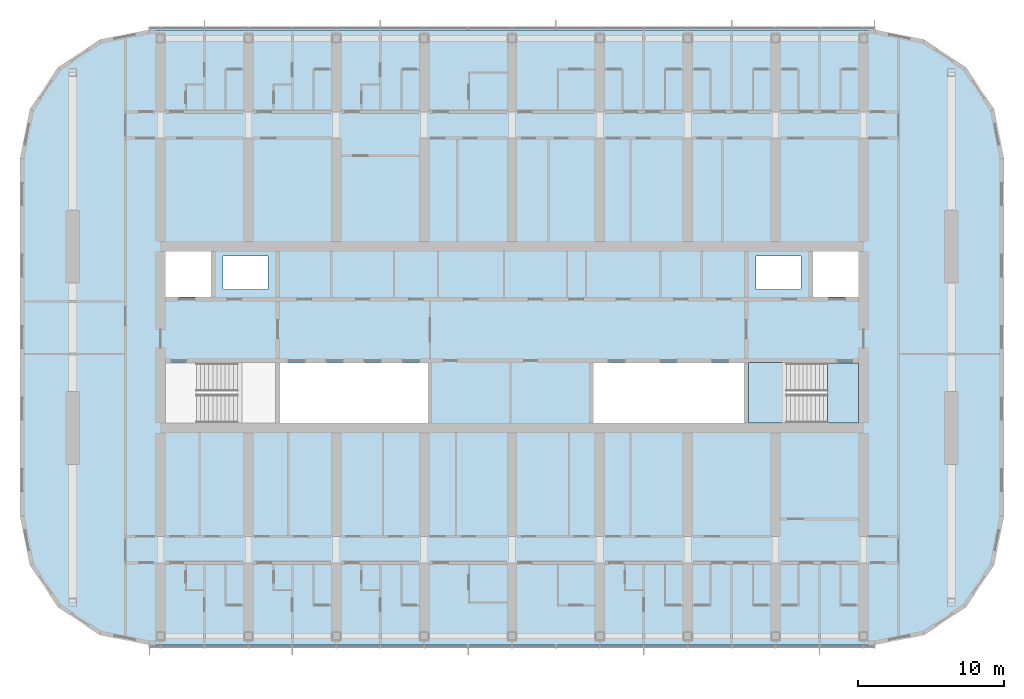
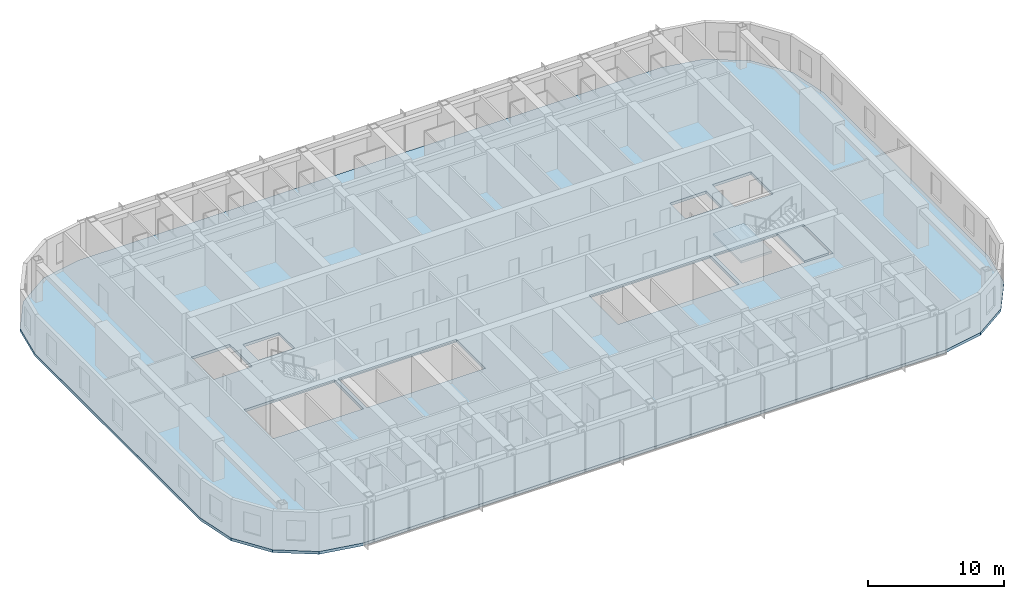
# One storey, part 8 of 24: 3 slabs, 1 element without a shape of its own.
"""IFC4 building model written with IfcOpenShell, lengths in metres."""

import ifcopenshell
import ifcopenshell.guid

model = None  # the IFC model being written
_history = None  # IfcOwnerHistory: only IFC2X3 demands one
_inside = {}  # id of a spatial element -> (the spatial element, [elements in it])
_under = {}  # id of a project, library or spatial element -> (it, [spatial elements below it])
_declared = {}  # id of a project -> (the project, [libraries it declares])
_typed = {}  # id of a type object -> (the type object, [elements of that type])
_made_of = {}  # id of a material, layer set ... -> (it, [elements and type objects made of it])


def new_model(schema):
    """Start an empty IFC model of exactly this schema.

    Asked for "IFC4X3", IfcOpenShell would pick the latest addendum, in which some entities
    have other attributes; the version numbers below select the first issue.
    IFC2X3 requires an IfcOwnerHistory on every rooted entity: one is made here for all.
    """
    global model, _history
    if schema == "IFC4X3":
        model = ifcopenshell.file(schema_version=(4, 3, 0, 0))
    else:
        model = ifcopenshell.file(schema=schema)
    _inside.clear()
    _under.clear()
    _declared.clear()
    _typed.clear()
    _made_of.clear()
    _history = None
    if model.schema == "IFC2X3":
        org = make("IfcOrganization", Name="unknown")
        user = make(
            "IfcPersonAndOrganization",
            ThePerson=make("IfcPerson", FamilyName="unknown"),
            TheOrganization=org,
        )
        app = make(
            "IfcApplication",
            ApplicationDeveloper=org,
            Version="unknown",
            ApplicationFullName="unknown",
            ApplicationIdentifier="unknown",
        )
        _history = make(
            "IfcOwnerHistory",
            OwningUser=user,
            OwningApplication=app,
            ChangeAction="ADDED",
            CreationDate=0,
        )
    return model


def make(cls, **values):
    """One entity of the class cls with the attributes given. An attribute that is None is left unset."""
    return model.create_entity(
        cls, **{name: value for name, value in values.items() if value is not None}
    )


def rooted(cls, **values):
    """An entity with a GlobalId (a new one), such as an element, a storey or a relation."""
    return make(cls, GlobalId=ifcopenshell.guid.new(), OwnerHistory=_history, **values)


def si_unit(unit_type, name, prefix=None):
    """IfcSIUnit, for example si_unit("LENGTHUNIT", "METRE", prefix="MILLI")."""
    return make("IfcSIUnit", UnitType=unit_type, Prefix=prefix, Name=name)


def assignment(units):
    """IfcUnitAssignment: the units of a project."""
    return None if units is None else make("IfcUnitAssignment", Units=units)


def point(xyz):
    """IfcCartesianPoint."""
    return None if xyz is None else make("IfcCartesianPoint", Coordinates=xyz)


def direction(xyz):
    """IfcDirection."""
    return None if xyz is None else make("IfcDirection", DirectionRatios=xyz)


def frame(location, z_axis=None, x_axis=None):
    """IfcAxis2Placement3D, a coordinate frame: its origin and axes. An axis left out is left unset."""
    return make(
        "IfcAxis2Placement3D",
        Location=point(location),
        Axis=direction(z_axis),
        RefDirection=direction(x_axis),
    )


def origin():
    """The frame at (0, 0, 0) with its axes left unset."""
    return frame((0.0, 0.0, 0.0))


def place(relative_to, where):
    """IfcLocalPlacement: puts the frame where relative to a parent placement (None: the world)."""
    return make(
        "IfcLocalPlacement", PlacementRelTo=relative_to, RelativePlacement=where
    )


def context(
    kind, dimensions, precision=None, world=None, true_north=None, identifier=None
):
    """IfcGeometricRepresentationContext, for example the 3D "Model" context."""
    return make(
        "IfcGeometricRepresentationContext",
        ContextIdentifier=identifier,
        ContextType=kind,
        CoordinateSpaceDimension=dimensions,
        Precision=precision,
        WorldCoordinateSystem=world,
        TrueNorth=true_north,
    )


def subcontext(parent, identifier, kind, view, scale=None):
    """IfcGeometricRepresentationSubContext, for example "Body" below "Model"."""
    return make(
        "IfcGeometricRepresentationSubContext",
        ContextIdentifier=identifier,
        ContextType=kind,
        ParentContext=parent,
        TargetScale=scale,
        TargetView=view,
    )


def project(units=None, contexts=None):
    """IfcProject with its units and contexts."""
    return rooted(
        "IfcProject",
        Name="project",
        RepresentationContexts=contexts,
        UnitsInContext=assignment(units),
    )


def spatial(cls, under=None, at=None, **own):
    """A site, building, storey or space (cls), placed at a placement, below another one or the project."""
    s = rooted(cls, ObjectPlacement=at, **own)
    if under is not None:
        _under.setdefault(under.id(), (under, []))[1].append(s)
    return s


def polyline(points):
    """IfcPolyline through the points."""
    return make("IfcPolyline", Points=[point(p) for p in points])


def outline(outer, holes=None, kind="AREA"):
    """IfcArbitraryClosedProfileDef: a profile drawn as a closed curve; with holes, ...WithVoids."""
    if holes is None:
        return make("IfcArbitraryClosedProfileDef", ProfileType=kind, OuterCurve=outer)
    return make(
        "IfcArbitraryProfileDefWithVoids",
        ProfileType=kind,
        OuterCurve=outer,
        InnerCurves=holes,
    )


def extrude(swept, where, along, depth):
    """IfcExtrudedAreaSolid: the profile swept, set in the frame where, extruded along a direction by depth."""
    return make(
        "IfcExtrudedAreaSolid",
        SweptArea=swept,
        Position=where,
        ExtrudedDirection=direction(along),
        Depth=depth,
    )


def shape(context_of_items, identifier, shape_type, items):
    """IfcShapeRepresentation: the items that make up one representation, for example the "Body"."""
    return make(
        "IfcShapeRepresentation",
        ContextOfItems=context_of_items,
        RepresentationIdentifier=identifier,
        RepresentationType=shape_type,
        Items=items,
    )


def material(Name=None, Category=None):
    """IfcMaterial."""
    return make("IfcMaterial", Name=Name, Category=Category)


def layer(
    of_material, thickness, ventilated=None, Name=None, Category=None, Priority=None
):
    """IfcMaterialLayer: one layer of a wall or slab, of a material (None: an air gap)."""
    return make(
        "IfcMaterialLayer",
        Material=of_material,
        LayerThickness=thickness,
        IsVentilated=ventilated,
        Name=Name,
        Category=Category,
        Priority=Priority,
    )


def layer_set(layers, Name=None):
    """IfcMaterialLayerSet."""
    return make("IfcMaterialLayerSet", MaterialLayers=layers, LayerSetName=Name)


def made_of(thing, what):
    """Note that an element or type object is made of a material, layer set ...; save() writes the relation."""
    if what is not None:
        _made_of.setdefault(what.id(), (what, []))[1].append(thing)
    return thing


def type_object(cls, material=None, **own):
    """A type object (cls), such as IfcWallType, which elements share."""
    return made_of(rooted(cls, **own), material)


def element(
    cls,
    number,
    at=None,
    inside=None,
    cuts=None,
    type_object=None,
    material=None,
    context=None,
    identifier="Body",
    shape_type=None,
    held_by="IfcProductDefinitionShape",
    body=None,
    shapes=None,
    **own,
):
    """One element of the class cls, such as IfcWall. Its Tag is "e" and its number.

    at: its placement. inside: the storey or other place that contains it. cuts: it is an
    opening in that element (IfcRelVoidsElement). A single representation is given by context,
    identifier, shape_type and body (its items); several are given by shapes. held_by: the class
    of the entity that holds the representations. save() writes the other relations.
    """
    e = rooted(cls, Tag="e%d" % number, ObjectPlacement=at, **own)
    if body is not None:
        shapes = [shape(context, identifier, shape_type, body)]
    if shapes is not None:
        e.Representation = make(held_by, Representations=shapes)
    if inside is not None:
        _inside.setdefault(inside.id(), (inside, []))[1].append(e)
    if cuts is not None:
        rooted(
            "IfcRelVoidsElement", RelatingBuildingElement=cuts, RelatedOpeningElement=e
        )
    if type_object is not None:
        _typed.setdefault(type_object.id(), (type_object, []))[1].append(e)
    return made_of(e, material)


def aggregate(whole, parts):
    """IfcRelAggregates: a whole, such as a stair, and the parts it consists of."""
    return rooted("IfcRelAggregates", RelatingObject=whole, RelatedObjects=parts)


def save(model, path):
    """Write the relations noted so far, then the file.

    IfcRelAggregates (storeys below a building ...), IfcRelContainedInSpatialStructure (elements
    in a storey), IfcRelDefinesByType, IfcRelAssociatesMaterial and IfcRelDeclares: one each for
    every whole, place, type object, material and project.
    """
    for whole, parts in _under.values():
        aggregate(whole, parts)
    for where, things in _inside.values():
        rooted(
            "IfcRelContainedInSpatialStructure",
            RelatedElements=things,
            RelatingStructure=where,
        )
    for kind, things in _typed.values():
        rooted("IfcRelDefinesByType", RelatedObjects=things, RelatingType=kind)
    for what, things in _made_of.values():
        rooted("IfcRelAssociatesMaterial", RelatedObjects=things, RelatingMaterial=what)
    for by, libraries in _declared.values():
        rooted("IfcRelDeclares", RelatingContext=by, RelatedDefinitions=libraries)
    model.write(path)


model = new_model("IFC4")

# Units and contexts
model_context = context("Model", 3, precision=1e-05, world=origin(), true_north=direction((0.0, 1.0)))
body_context = subcontext(model_context, "Body", "Model", "MODEL_VIEW")
ifc_project = project(units=[si_unit("LENGTHUNIT", "METRE"), si_unit("AREAUNIT", "SQUARE_METRE"), si_unit("VOLUMEUNIT", "CUBIC_METRE"), si_unit("PLANEANGLEUNIT", "RADIAN"), si_unit("MASSUNIT", "GRAM", prefix="KILO")], contexts=[model_context])

# Site, building, storey
site_placement = place(None, origin())
site = spatial("IfcSite", under=ifc_project, at=site_placement, CompositionType="ELEMENT")
building_placement = place(site_placement, origin())
building = spatial("IfcBuilding", under=site, at=building_placement, Name="Orbita Commons", CompositionType="ELEMENT")
storey_placement = place(building_placement, frame((0.0, 0.0, 239.050048828125)))
storey = spatial("IfcBuildingStorey", under=building, at=storey_placement, Name="L59", CompositionType="ELEMENT", Elevation=239.050048828125)

# Slab
ifc_material_1 = material(Name="Concrete C40/50", Category="concrete")
ifc_layer_1 = layer(ifc_material_1, 0.25)
ifc_layer_set_1 = layer_set([ifc_layer_1], Name="Concrete C40/50")
slab_type_1 = type_object("IfcSlabType", Name="Floor slab 250", PredefinedType="FLOOR", material=ifc_layer_set_1)
slab_1_placement = place(storey_placement, frame((0.0, 0.0, -0.25)))
element("IfcSlab", 1, at=slab_1_placement, inside=storey, type_object=slab_type_1, Name="Floor slab L59", PredefinedType="FLOOR", context=body_context, shape_type="SweptSolid", body=[
    extrude(outline(polyline([(66.800048828125, 11.0), (70.167724609375, 11.669921875), (73.0224609375, 13.577392578125), (74.93017578125, 16.432373046875), (75.60009765625, 19.800048828125), (75.60009765625, 44.199951171875), (74.93017578125, 47.567626953125), (73.0224609375, 50.422607421875), (70.167724609375, 52.330078125), (66.800048828125, 53.0), (17.199951171875, 53.0), (13.832275390625, 52.330078125), (10.9775390625, 50.422607421875), (9.06982421875, 47.567626953125), (8.39990234375, 44.199951171875), (8.39990234375, 19.800048828125), (9.06982421875, 16.432373046875), (10.9775390625, 13.577392578125), (13.832275390625, 11.669921875), (17.199951171875, 11.0), (66.800048828125, 11.0)]), holes=[polyline([(18.14990234375, 25.949951171875), (25.85009765625, 25.949951171875), (25.85009765625, 30.25), (18.14990234375, 30.25), (18.14990234375, 25.949951171875)]), polyline([(58.14990234375, 25.949951171875), (65.85009765625, 25.949951171875), (65.85009765625, 30.25), (58.14990234375, 30.25), (58.14990234375, 25.949951171875)]), polyline([(18.14990234375, 34.75), (21.449951171875, 34.75), (21.449951171875, 38.050048828125), (18.14990234375, 38.050048828125), (18.14990234375, 34.75)]), polyline([(62.550048828125, 34.75), (65.85009765625, 34.75), (65.85009765625, 38.050048828125), (62.550048828125, 38.050048828125), (62.550048828125, 34.75)]), polyline([(22.25, 35.25), (25.35009765625, 35.25), (25.35009765625, 37.550048828125), (22.25, 37.550048828125), (22.25, 35.25)]), polyline([(58.64990234375, 35.25), (61.75, 35.25), (61.75, 37.550048828125), (58.64990234375, 37.550048828125), (58.64990234375, 35.25)]), polyline([(26.14990234375, 25.949951171875), (36.25, 25.949951171875), (36.25, 30.25), (26.14990234375, 30.25), (26.14990234375, 25.949951171875)]), polyline([(47.550048828125, 25.949951171875), (57.85009765625, 25.949951171875), (57.85009765625, 30.25), (47.550048828125, 30.25), (47.550048828125, 25.949951171875)])]), origin(), (0.0, 0.0, 1.0), 0.25),
])

# Stair, slabs
ifc_material_2 = material(Name="Precast concrete C40/50", Category="concrete")
stair_type = type_object("IfcStairType", Name="Exit stair S2 2 flights 11 risers 170", PredefinedType="HALF_TURN_STAIR", material=ifc_material_2)
stair_placement = place(storey_placement, origin())
stair = element("IfcStair", 2, at=stair_placement, inside=storey, type_object=stair_type, Name="Exit stair S2 L59", PredefinedType="HALF_TURN_STAIR")
ifc_material_3 = material(Name="Concrete C40/50", Category="concrete")
ifc_layer_2 = layer(ifc_material_3, 0.199951171875)
ifc_layer_set_2 = layer_set([ifc_layer_2], Name="Concrete C40/50")
slab_type_2 = type_object("IfcSlabType", Name="Stair landing 200", PredefinedType="LANDING", material=ifc_layer_set_2)
slab_2_placement = place(storey_placement, frame((0.0, 0.0, -0.199951171875)))
slab_2 = element("IfcSlab", 3, at=slab_2_placement, type_object=slab_type_2, Name="S2 landing 1", PredefinedType="LANDING", context=body_context, shape_type="SweptSolid", body=[
    extrude(outline(polyline([(63.550048828125, 26.14990234375), (65.64990234375, 26.14990234375), (65.64990234375, 30.25), (63.550048828125, 30.25), (63.550048828125, 26.14990234375)])), origin(), (0.0, 0.0, 1.0), 0.199951171875),
])
slab_3_placement = place(storey_placement, frame((0.0, 0.0, 1.675048828125)))
slab_3 = element("IfcSlab", 4, at=slab_3_placement, type_object=slab_type_2, Name="S2 landing 2", PredefinedType="LANDING", context=body_context, shape_type="SweptSolid", body=[
    extrude(outline(polyline([(58.135009765625, 26.135009765625), (60.75, 26.135009765625), (60.75, 30.264892578125), (58.135009765625, 30.264892578125), (58.135009765625, 26.135009765625)])), origin(), (0.0, 0.0, 1.0), 0.199951171875),
])
aggregate(stair, [slab_2, slab_3])

save(model, "model.ifc")
